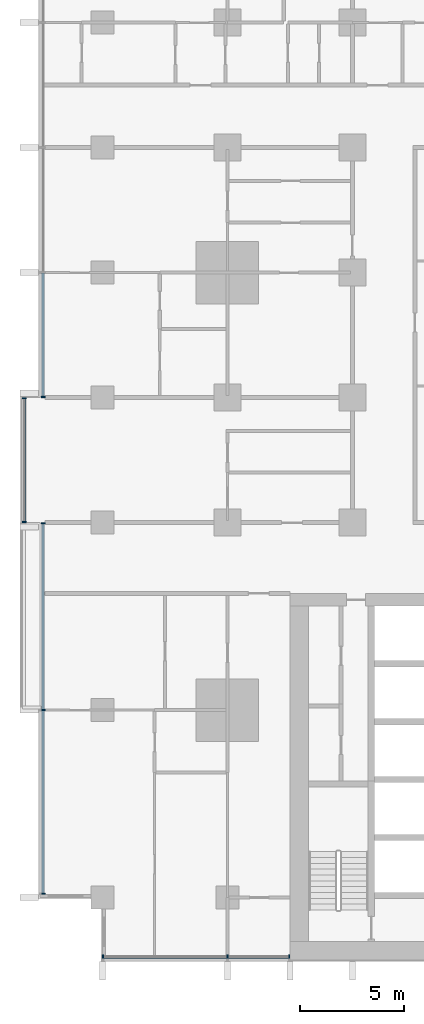
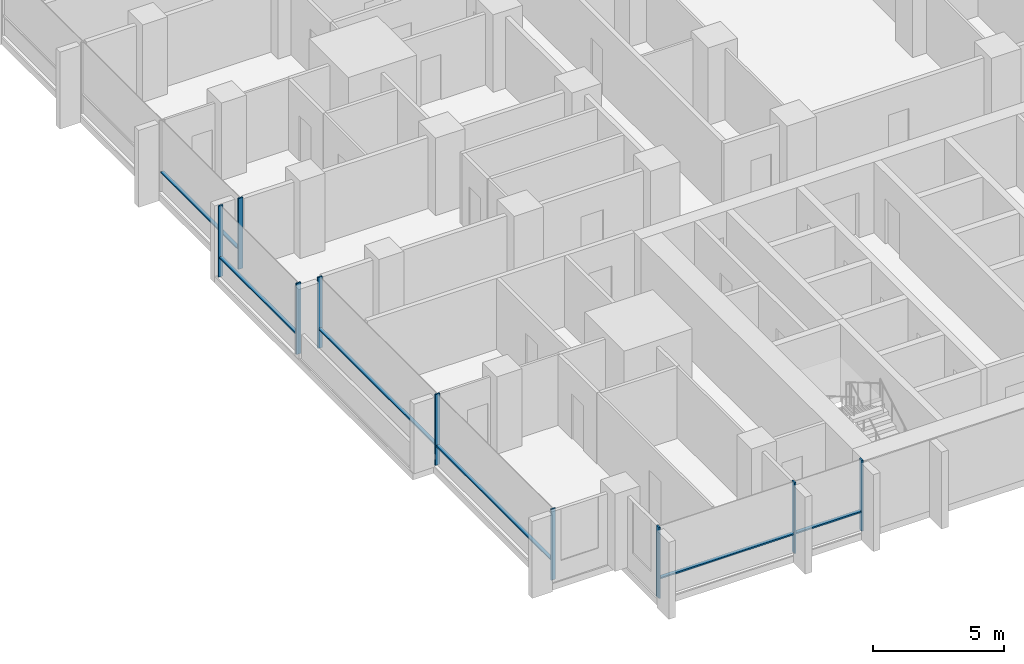
# One storey, part 2 of 18: 15 members, 4 elements without a shape of their own.
"""IFC4 building model written with IfcOpenShell, lengths in metres."""

from ifc_helpers import new_model, si_unit, direction, frame, origin, origin_2d, place, context, subcontext, project, spatial, rectangle, extrude, material, material_profile, profile_set, type_object, element, aggregate, save


model = new_model("IFC4")

# Units and contexts
model_context = context("Model", 3, precision=1e-05, world=origin(), true_north=direction((0.0, 1.0)))
body_context = subcontext(model_context, "Body", "Model", "MODEL_VIEW")
ifc_project = project(units=[si_unit("LENGTHUNIT", "METRE"), si_unit("AREAUNIT", "SQUARE_METRE"), si_unit("VOLUMEUNIT", "CUBIC_METRE"), si_unit("PLANEANGLEUNIT", "RADIAN"), si_unit("MASSUNIT", "GRAM", prefix="KILO")], contexts=[model_context])

# Site, building, storey
site_placement = place(None, origin())
site = spatial("IfcSite", under=ifc_project, at=site_placement, CompositionType="ELEMENT")
building_placement = place(site_placement, origin())
building = spatial("IfcBuilding", under=site, at=building_placement, Name="Finial Court Residences", CompositionType="ELEMENT")
storey_placement = place(building_placement, frame((0.0, 0.0, 43.300048828125)))
storey = spatial("IfcBuildingStorey", under=building, at=storey_placement, Name="L09", CompositionType="ELEMENT", Elevation=43.300048828125)

# Curtain wall, members
ifc_material = material(Name="Bronze anodised aluminium", Category="aluminium")
curtain_wall_type = type_object("IfcCurtainWallType", Name="Unitised curtain wall, lower and middle zones", PredefinedType="NOTDEFINED", material=ifc_material)
curtain_wall_1_placement = place(storey_placement, origin())
curtain_wall_1 = element("IfcCurtainWall", 1, at=curtain_wall_1_placement, inside=storey, type_object=curtain_wall_type, Name="E-L09-CW-S7", PredefinedType="NOTDEFINED")
ifc_material_profile_1 = material_profile(ifc_material, rectangle(XDim=0.199951171875, YDim=0.06494140625, at=origin_2d()), Name="CW1 mullion 65 x 200")
ifc_profile_set_1 = profile_set([ifc_material_profile_1], Name="Bronze anodised aluminium")
member_type_1 = type_object("IfcMemberType", Name="CW1 mullion 65 x 200", PredefinedType="MULLION", material=ifc_profile_set_1)
member_1_placement = place(storey_placement, frame((-22.467529296875, -25.35009765625, 0.0), z_axis=(0.0, 0.0, 1.0), x_axis=(0.0, 1.0, 0.0)))
member_1 = element("IfcMember", 2, at=member_1_placement, type_object=member_type_1, Name="CW1 mullion 1", PredefinedType="MULLION", context=body_context, shape_type="SweptSolid", body=[
    extrude(rectangle(XDim=0.199951171875, YDim=0.06494140625, at=origin_2d()), origin(), (0.0, 0.0, 1.0), 3.300048828125),
])
member_2_placement = place(storey_placement, frame((-16.5, -25.35009765625, 0.0), z_axis=(0.0, 0.0, 1.0), x_axis=(0.0, 1.0, 0.0)))
member_2 = element("IfcMember", 3, at=member_2_placement, type_object=member_type_1, Name="CW1 mullion 2", PredefinedType="MULLION", context=body_context, shape_type="SweptSolid", body=[
    extrude(rectangle(XDim=0.199951171875, YDim=0.06494140625, at=origin_2d()), origin(), (0.0, 0.0, 1.0), 3.300048828125),
])
member_3_placement = place(storey_placement, frame((-13.532470703125, -25.35009765625, 0.0), z_axis=(0.0, 0.0, 1.0), x_axis=(0.0, 1.0, 0.0)))
member_3 = element("IfcMember", 4, at=member_3_placement, type_object=member_type_1, Name="CW1 mullion 3", PredefinedType="MULLION", context=body_context, shape_type="SweptSolid", body=[
    extrude(rectangle(XDim=0.199951171875, YDim=0.06494140625, at=origin_2d()), origin(), (0.0, 0.0, 1.0), 3.300048828125),
])

curtain_wall_2_placement = place(storey_placement, origin())
curtain_wall_2 = element("IfcCurtainWall", 5, at=curtain_wall_2_placement, inside=storey, type_object=curtain_wall_type, Name="E-L09-CW-W9", PredefinedType="NOTDEFINED")
member_4_placement = place(storey_placement, frame((-25.35009765625, -22.3173828125, 0.0), z_axis=(0.0, 0.0, 1.0), x_axis=(-1.0, 0.0, 0.0)))
member_4 = element("IfcMember", 6, at=member_4_placement, type_object=member_type_1, Name="CW1 mullion 1", PredefinedType="MULLION", context=body_context, shape_type="SweptSolid", body=[
    extrude(rectangle(XDim=0.199951171875, YDim=0.06494140625, at=origin_2d()), origin(), (0.0, 0.0, 1.0), 3.300048828125),
])
member_5_placement = place(storey_placement, frame((-25.35009765625, -13.5, 0.0), z_axis=(0.0, 0.0, 1.0), x_axis=(-1.0, 0.0, 0.0)))
member_5 = element("IfcMember", 7, at=member_5_placement, type_object=member_type_1, Name="CW1 mullion 2", PredefinedType="MULLION", context=body_context, shape_type="SweptSolid", body=[
    extrude(rectangle(XDim=0.199951171875, YDim=0.06494140625, at=origin_2d()), origin(), (0.0, 0.0, 1.0), 3.300048828125),
])
member_6_placement = place(storey_placement, frame((-25.35009765625, -4.532470703125, 0.0), z_axis=(0.0, 0.0, 1.0), x_axis=(-1.0, 0.0, 0.0)))
member_6 = element("IfcMember", 8, at=member_6_placement, type_object=member_type_1, Name="CW1 mullion 3", PredefinedType="MULLION", context=body_context, shape_type="SweptSolid", body=[
    extrude(rectangle(XDim=0.199951171875, YDim=0.06494140625, at=origin_2d()), origin(), (0.0, 0.0, 1.0), 3.300048828125),
])

curtain_wall_3_placement = place(storey_placement, origin())
curtain_wall_3 = element("IfcCurtainWall", 9, at=curtain_wall_3_placement, inside=storey, type_object=curtain_wall_type, Name="E-L09-CW-W10", PredefinedType="NOTDEFINED")
member_7_placement = place(storey_placement, frame((-26.25, -4.467529296875, 0.0), z_axis=(0.0, 0.0, 1.0), x_axis=(-1.0, 0.0, 0.0)))
member_7 = element("IfcMember", 10, at=member_7_placement, type_object=member_type_1, Name="CW1 mullion 1", PredefinedType="MULLION", context=body_context, shape_type="SweptSolid", body=[
    extrude(rectangle(XDim=0.199951171875, YDim=0.06494140625, at=origin_2d()), origin(), (0.0, 0.0, 1.0), 3.300048828125),
])
member_8_placement = place(storey_placement, frame((-26.25, 1.467529296875, 0.0), z_axis=(0.0, 0.0, 1.0), x_axis=(-1.0, 0.0, 0.0)))
member_8 = element("IfcMember", 11, at=member_8_placement, type_object=member_type_1, Name="CW1 mullion 2", PredefinedType="MULLION", context=body_context, shape_type="SweptSolid", body=[
    extrude(rectangle(XDim=0.199951171875, YDim=0.06494140625, at=origin_2d()), origin(), (0.0, 0.0, 1.0), 3.300048828125),
])

# Curtain wall, member
curtain_wall_4_placement = place(storey_placement, origin())
curtain_wall_4 = element("IfcCurtainWall", 12, at=curtain_wall_4_placement, inside=storey, type_object=curtain_wall_type, Name="E-L09-CW-W11", PredefinedType="NOTDEFINED")
member_9_placement = place(storey_placement, frame((-25.35009765625, 1.532470703125, 0.0), z_axis=(0.0, 0.0, 1.0), x_axis=(-1.0, 0.0, 0.0)))
member_9 = element("IfcMember", 13, at=member_9_placement, type_object=member_type_1, Name="CW1 mullion 1", PredefinedType="MULLION", context=body_context, shape_type="SweptSolid", body=[
    extrude(rectangle(XDim=0.199951171875, YDim=0.06494140625, at=origin_2d()), origin(), (0.0, 0.0, 1.0), 3.300048828125),
])

# Member
ifc_material_profile_2 = material_profile(ifc_material, rectangle(XDim=0.14990234375, YDim=0.06494140625, at=origin_2d()), Name="CW1 transom 65 x 150")
ifc_profile_set_2 = profile_set([ifc_material_profile_2], Name="Bronze anodised aluminium")
member_type_2 = type_object("IfcMemberType", Name="CW1 transom 65 x 150", PredefinedType="USERDEFINED", material=ifc_profile_set_2)
member_10_placement = place(storey_placement, frame((-22.43505859375, -25.35009765625, 0.89990234375), z_axis=(1.0, 0.0, 0.0), x_axis=(0.0, 1.0, 0.0)))
member_10 = element("IfcMember", 14, at=member_10_placement, type_object=member_type_2, Name="CW1 transom 1.1", ObjectType="TRANSOM", PredefinedType="USERDEFINED", context=body_context, shape_type="SweptSolid", body=[
    extrude(rectangle(XDim=0.14990234375, YDim=0.06494140625, at=origin_2d()), origin(), (0.0, 0.0, 1.0), 5.902587890625),
])

member_11_placement = place(storey_placement, frame((-16.467529296875, -25.35009765625, 0.89990234375), z_axis=(1.0, 0.0, 0.0), x_axis=(0.0, 1.0, 0.0)))
member_11 = element("IfcMember", 15, at=member_11_placement, type_object=member_type_2, Name="CW1 transom 2.1", ObjectType="TRANSOM", PredefinedType="USERDEFINED", context=body_context, shape_type="SweptSolid", body=[
    extrude(rectangle(XDim=0.14990234375, YDim=0.06494140625, at=origin_2d()), origin(), (0.0, 0.0, 1.0), 2.902587890625),
])

aggregate(curtain_wall_1, [member_1, member_2, member_3, member_10, member_11])

member_12_placement = place(storey_placement, frame((-25.35009765625, -22.284912109375, 0.89990234375), z_axis=(0.0, 1.0, 0.0), x_axis=(-1.0, 0.0, 0.0)))
member_12 = element("IfcMember", 16, at=member_12_placement, type_object=member_type_2, Name="CW1 transom 1.1", ObjectType="TRANSOM", PredefinedType="USERDEFINED", context=body_context, shape_type="SweptSolid", body=[
    extrude(rectangle(XDim=0.14990234375, YDim=0.06494140625, at=origin_2d()), origin(), (0.0, 0.0, 1.0), 8.75244140625),
])

member_13_placement = place(storey_placement, frame((-25.35009765625, -13.467529296875, 0.89990234375), z_axis=(0.0, 1.0, 0.0), x_axis=(-1.0, 0.0, 0.0)))
member_13 = element("IfcMember", 17, at=member_13_placement, type_object=member_type_2, Name="CW1 transom 2.1", ObjectType="TRANSOM", PredefinedType="USERDEFINED", context=body_context, shape_type="SweptSolid", body=[
    extrude(rectangle(XDim=0.14990234375, YDim=0.06494140625, at=origin_2d()), origin(), (0.0, 0.0, 1.0), 8.902587890625),
])

aggregate(curtain_wall_2, [member_4, member_5, member_6, member_12, member_13])

member_14_placement = place(storey_placement, frame((-26.25, -4.43505859375, 0.89990234375), z_axis=(0.0, 1.0, 0.0), x_axis=(-1.0, 0.0, 0.0)))
member_14 = element("IfcMember", 18, at=member_14_placement, type_object=member_type_2, Name="CW1 transom 1.1", ObjectType="TRANSOM", PredefinedType="USERDEFINED", context=body_context, shape_type="SweptSolid", body=[
    extrude(rectangle(XDim=0.14990234375, YDim=0.06494140625, at=origin_2d()), origin(), (0.0, 0.0, 1.0), 5.8701171875),
])

aggregate(curtain_wall_3, [member_7, member_8, member_14])

member_15_placement = place(storey_placement, frame((-25.35009765625, 1.56494140625, 0.89990234375), z_axis=(0.0, 1.0, 0.0), x_axis=(-1.0, 0.0, 0.0)))
member_15 = element("IfcMember", 19, at=member_15_placement, type_object=member_type_2, Name="CW1 transom 1.1", ObjectType="TRANSOM", PredefinedType="USERDEFINED", context=body_context, shape_type="SweptSolid", body=[
    extrude(rectangle(XDim=0.14990234375, YDim=0.06494140625, at=origin_2d()), origin(), (0.0, 0.0, 1.0), 5.902587890625),
])

aggregate(curtain_wall_4, [member_9, member_15])

save(model, "model.ifc")
